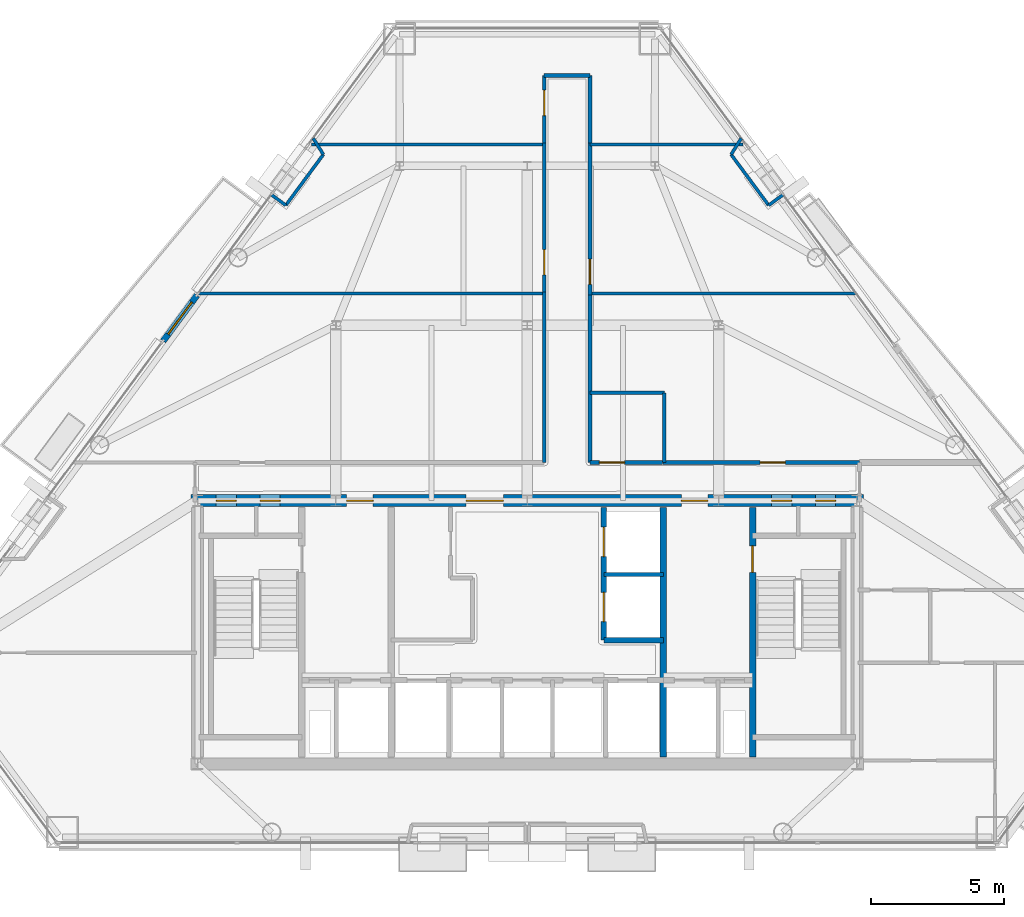
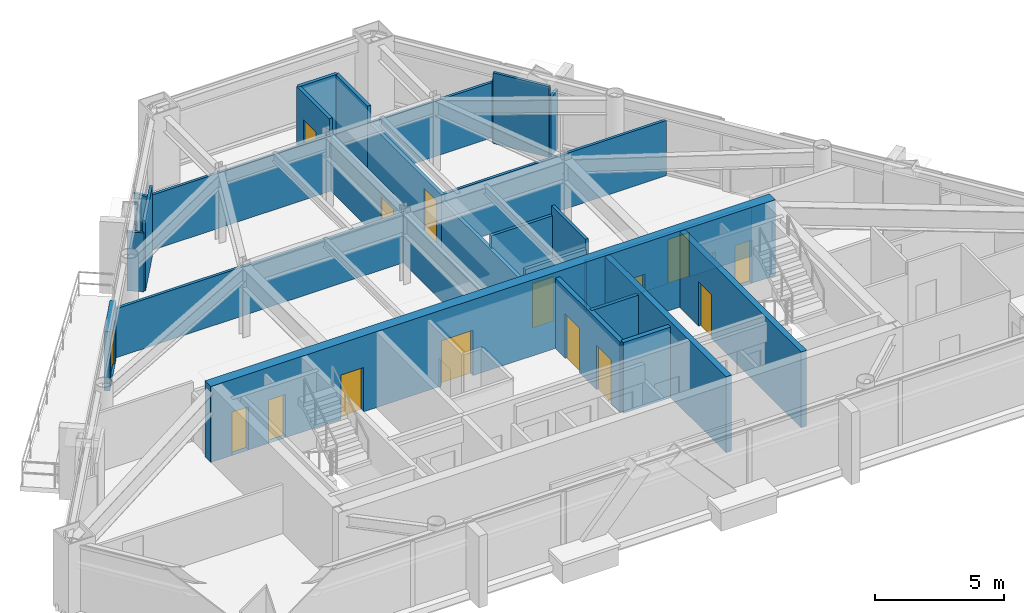
# One storey, part 8 of 11: 28 walls, 16 doors, 16 openings.
"""IFC4 building model written with IfcOpenShell, lengths in metres."""

from ifc_helpers import new_model, si_unit, direction, frame, frame_2d, origin, place, context, subcontext, project, spatial, rectangle, extrude, material, layer, layer_set, type_object, element, fill, save


model = new_model("IFC4")

# Units and contexts
model_context = context("Model", 3, precision=1e-05, world=origin(), true_north=direction((0.0, 1.0)))
body_context = subcontext(model_context, "Body", "Model", "MODEL_VIEW")
ifc_project = project(units=[si_unit("LENGTHUNIT", "METRE"), si_unit("AREAUNIT", "SQUARE_METRE"), si_unit("VOLUMEUNIT", "CUBIC_METRE"), si_unit("PLANEANGLEUNIT", "RADIAN"), si_unit("MASSUNIT", "GRAM", prefix="KILO")], contexts=[model_context])

# Site, building, storey
site_placement = place(None, origin())
site = spatial("IfcSite", under=ifc_project, at=site_placement, CompositionType="ELEMENT")
building_placement = place(site_placement, origin())
building = spatial("IfcBuilding", under=site, at=building_placement, Name="Talgorran Terracotta Tower", CompositionType="ELEMENT")
storey_placement = place(building_placement, frame((0.0, 0.0, 147.300048828125)))
storey = spatial("IfcBuildingStorey", under=building, at=storey_placement, Name="L38", CompositionType="ELEMENT", Elevation=147.300048828125)

# Wall, opening, door
ifc_material_1 = material(Name="Concrete C40/50", Category="concrete")
ifc_layer_1 = layer(ifc_material_1, 0.239990234375, Name="WT_BALCONY_SPAND")
ifc_layer_set_1 = layer_set([ifc_layer_1], Name="Concrete C40/50")
wall_type_1 = type_object("IfcWallType", Name="WT_BALCONY_SPAND", PredefinedType="STANDARD", material=ifc_layer_set_1)
wall_1_placement = place(storey_placement, frame((-12.429443359375, 3.529052734375, -0.01513671875), z_axis=(0.0, 0.0, 1.0), x_axis=(-0.594050978498, -0.804427395696, 0.0)))
wall_1 = element("IfcWall", 1, at=wall_1_placement, inside=storey, type_object=wall_type_1, Name="WL-L38-BALP-BAL-NW", PredefinedType="STANDARD", context=body_context, shape_type="SweptSolid", body=[
    extrude(rectangle(XDim=2.139892578125, YDim=0.239990234375, at=frame_2d((1.06982421875, 0.0))), origin(), (0.0, 0.0, 1.0), 2.80712890625),
])
opening_1_placement = place(wall_1_placement, frame((0.320068359375, 0.0, 0.014892578125)))
opening_1 = element("IfcOpeningElement", 2, at=opening_1_placement, cuts=wall_1, Name="Opening D-BAL-L38-2", PredefinedType="OPENING", context=body_context, shape_type="SweptSolid", body=[
    extrude(rectangle(XDim=1.506, YDim=2.203951171875, at=frame_2d((0.75, 1.10205078125))), frame((0.0, 0.1298828125, 0.0), z_axis=(0.0, -1.0, 0.0), x_axis=(1.0, 0.0, 0.0)), (0.0, 0.0, 1.0), 0.260009765625),
])
ifc_material_2 = material(Name="Thermally Broken Aluminium", Category="aluminium")
door_type_1 = type_object("IfcDoorType", Name="DT_BALC_1500", OperationType="SLIDING_TO_RIGHT", PredefinedType="DOOR", material=ifc_material_2)
door_1_placement = place(opening_1_placement, origin())
door_1 = element("IfcDoor", 3, at=door_1_placement, inside=storey, type_object=door_type_1, Name="DR-L38-BAL-BAL-NW", OperationType="SLIDING_TO_RIGHT", OverallHeight=2.199951171875, OverallWidth=1.5, PredefinedType="DOOR", context=body_context, shape_type="SweptSolid", body=[
    extrude(rectangle(XDim=1.5, YDim=2.199951171875, at=frame_2d((0.75, 1.10009765625))), frame((0.0, 0.02490234375, 0.0), z_axis=(0.0, -1.0, 0.0), x_axis=(1.0, 0.0, 0.0)), (0.0, 0.0, 1.0), 0.050048828125),
])
fill(opening_1, door_1)

# Wall, openings, doors
ifc_material_3 = material(Name="Concrete C50/60", Category="concrete")
ifc_layer_2 = layer(ifc_material_3, 0.199951171875, Name="WT_CORE_200")
ifc_layer_set_2 = layer_set([ifc_layer_2], Name="Concrete C50/60")
wall_type_2 = type_object("IfcWallType", Name="WT_CORE_200", PredefinedType="SOLIDWALL", material=ifc_layer_set_2)
wall_2_placement = place(storey_placement, frame((2.8798828125, -9.449951171875, 0.0), z_axis=(0.0, 0.0, 1.0), x_axis=(0.0, 1.0, 0.0)))
wall_2 = element("IfcWall", 4, at=wall_2_placement, inside=storey, type_object=wall_type_2, Name="WL-L38-CW-V-E3", PredefinedType="SOLIDWALL", context=body_context, shape_type="SweptSolid", body=[
    extrude(rectangle(XDim=5.0, YDim=0.199951171875, at=frame_2d((2.5, 0.0))), origin(), (0.0, 0.0, 1.0), 3.349853515625),
])
opening_2_placement = place(wall_2_placement, frame((0.699951171875, 0.0, 0.0)))
opening_2 = element("IfcOpeningElement", 5, at=opening_2_placement, cuts=wall_2, Name="Opening LD-PLM1", PredefinedType="OPENING", context=body_context, shape_type="SweptSolid", body=[
    extrude(rectangle(XDim=1.10609765625, YDim=2.10409765625, at=frame_2d((0.550048828125, 1.052001953125))), frame((0.0, 0.10986328125, 0.0), z_axis=(0.0, -1.0, 0.0), x_axis=(1.0, 0.0, 0.0)), (0.0, 0.0, 1.0), 0.219970703125),
])
opening_3_placement = place(wall_2_placement, frame((3.14990234375, 0.0, 0.0)))
opening_3 = element("IfcOpeningElement", 6, at=opening_3_placement, cuts=wall_2, Name="Opening LD-PLM2", PredefinedType="OPENING", context=body_context, shape_type="SweptSolid", body=[
    extrude(rectangle(XDim=1.10609765625, YDim=2.10409765625, at=frame_2d((0.550048828125, 1.052001953125))), frame((0.0, 0.10986328125, 0.0), z_axis=(0.0, -1.0, 0.0), x_axis=(1.0, 0.0, 0.0)), (0.0, 0.0, 1.0), 0.219970703125),
])
ifc_material_4 = material(Name="Brushed Stainless Steel Grade 304", Category="steel")
door_type_2 = type_object("IfcDoorType", Name="DT_LIFT_LD1100", OperationType="DOUBLE_DOOR_SLIDING", PredefinedType="DOOR", material=ifc_material_4)
door_2_placement = place(opening_2_placement, origin())
door_2 = element("IfcDoor", 7, at=door_2_placement, inside=storey, type_object=door_type_2, Name="L38 Lift Landing Door LD-PLM1", OperationType="DOUBLE_DOOR_SLIDING", OverallHeight=2.10009765625, OverallWidth=1.10009765625, PredefinedType="DOOR", context=body_context, shape_type="SweptSolid", body=[
    extrude(rectangle(XDim=1.10009765625, YDim=2.10009765625, at=frame_2d((0.550048828125, 1.050048828125))), frame((0.0, 0.02490234375, 0.0), z_axis=(0.0, -1.0, 0.0), x_axis=(1.0, 0.0, 0.0)), (0.0, 0.0, 1.0), 0.050048828125),
])
fill(opening_2, door_2)
door_3_placement = place(opening_3_placement, origin())
door_3 = element("IfcDoor", 8, at=door_3_placement, inside=storey, type_object=door_type_2, Name="L38 Lift Landing Door LD-PLM2", OperationType="DOUBLE_DOOR_SLIDING", OverallHeight=2.10009765625, OverallWidth=1.10009765625, PredefinedType="DOOR", context=body_context, shape_type="SweptSolid", body=[
    extrude(rectangle(XDim=1.10009765625, YDim=2.10009765625, at=frame_2d((0.550048828125, 1.050048828125))), frame((0.0, 0.02490234375, 0.0), z_axis=(0.0, -1.0, 0.0), x_axis=(1.0, 0.0, 0.0)), (0.0, 0.0, 1.0), 0.050048828125),
])
fill(opening_3, door_3)

# Wall
wall_3_placement = place(storey_placement, frame((2.8798828125, -9.449951171875, 0.0), z_axis=(0.0, 0.0, 1.0), x_axis=(1.0, 0.0, 0.0)))
element("IfcWall", 9, at=wall_3_placement, inside=storey, type_object=wall_type_2, Name="WL-L38-CW-H-E4", PredefinedType="SOLIDWALL", context=body_context, shape_type="SweptSolid", body=[
    extrude(rectangle(XDim=2.240234375, YDim=0.199951171875, at=frame_2d((1.1201171875, 0.0))), origin(), (0.0, 0.0, 1.0), 3.349853515625),
])

# Wall, opening, door
ifc_layer_3 = layer(ifc_material_3, 0.25, Name="WT_CORE_250")
ifc_layer_set_3 = layer_set([ifc_layer_3], Name="Concrete C50/60")
wall_type_3 = type_object("IfcWallType", Name="WT_CORE_250", PredefinedType="SHEAR", material=ifc_layer_set_3)
wall_4_placement = place(storey_placement, frame((8.47998046875, -13.85009765625, 0.0), z_axis=(0.0, 0.0, 1.0), x_axis=(0.0, 1.0, 0.0)))
wall_4 = element("IfcWall", 10, at=wall_4_placement, inside=storey, type_object=wall_type_3, Name="WL-L38-CW-V-E1", PredefinedType="SHEAR", context=body_context, shape_type="SweptSolid", body=[
    extrude(rectangle(XDim=9.400146484375, YDim=0.25, at=frame_2d((4.7001953125, 0.0))), origin(), (0.0, 0.0, 1.0), 3.599853515625),
])
opening_4_placement = place(wall_4_placement, frame((6.949951171875, 0.0, 0.0)))
opening_4 = element("IfcOpeningElement", 11, at=opening_4_placement, cuts=wall_4, Name="Opening DR-ST02", PredefinedType="OPENING", context=body_context, shape_type="SweptSolid", body=[
    extrude(rectangle(XDim=1.006, YDim=2.10409765625, at=frame_2d((0.5, 1.052001953125))), frame((0.0, 0.135009765625, 0.0), z_axis=(0.0, -1.0, 0.0), x_axis=(1.0, 0.0, 0.0)), (0.0, 0.0, 1.0), 0.27001953125),
])
ifc_material_5 = material(Name="Fire-Rated Pressed Steel", Category="steel")
door_type_3 = type_object("IfcDoorType", Name="DT_FIRE_1000", OperationType="NOTDEFINED", PredefinedType="DOOR", material=ifc_material_5)
door_4_placement = place(opening_4_placement, origin())
door_4 = element("IfcDoor", 12, at=door_4_placement, inside=storey, type_object=door_type_3, Name="DR-ST02", OperationType="SINGLE_SWING_RIGHT", OverallHeight=2.10009765625, OverallWidth=1.0, PredefinedType="DOOR", context=body_context, shape_type="SweptSolid", body=[
    extrude(rectangle(XDim=1.0, YDim=2.10009765625, at=frame_2d((0.5, 1.050048828125))), frame((0.0, 0.02490234375, 0.0), z_axis=(0.0, -1.0, 0.0), x_axis=(1.0, 0.0, 0.0)), (0.0, 0.0, 1.0), 0.050048828125),
])
fill(opening_4, door_4)

# Wall
wall_5_placement = place(storey_placement, frame((5.1201171875, -13.85009765625, 0.0), z_axis=(0.0, 0.0, 1.0), x_axis=(0.0, 1.0, 0.0)))
element("IfcWall", 13, at=wall_5_placement, inside=storey, type_object=wall_type_3, Name="WL-L38-CW-V-E2", PredefinedType="SHEAR", context=body_context, shape_type="SweptSolid", body=[
    extrude(rectangle(XDim=9.400146484375, YDim=0.25, at=frame_2d((4.7001953125, 0.0))), origin(), (0.0, 0.0, 1.0), 3.599853515625),
])

# Wall, openings, doors
ifc_material_6 = material(Name="Concrete C65/80", Category="concrete")
ifc_layer_4 = layer(ifc_material_6, 0.449951171875, Name="WT_CORE_EXT")
ifc_layer_set_4 = layer_set([ifc_layer_4], Name="Concrete C65/80")
wall_type_4 = type_object("IfcWallType", Name="WT_CORE_EXT", PredefinedType="SHEAR", material=ifc_layer_set_4)
wall_6_placement = place(storey_placement, frame((-12.64990234375, -4.199951171875, 0.0), z_axis=(0.0, 0.0, 1.0), x_axis=(1.0, 0.0, 0.0)))
wall_6 = element("IfcWall", 14, at=wall_6_placement, inside=storey, type_object=wall_type_4, Name="WL-L38-CW-OUT-N", PredefinedType="SHEAR", context=body_context, shape_type="SweptSolid", body=[
    extrude(rectangle(XDim=25.2998046875, YDim=0.449951171875, at=frame_2d((12.64990234375, 0.0))), origin(), (0.0, 0.0, 1.0), 3.599853515625),
])
opening_5_placement = place(wall_6_placement, frame((0.949951171875, 0.0, 0.0)))
opening_5 = element("IfcOpeningElement", 15, at=opening_5_placement, cuts=wall_6, Name="Opening DR-CSN1", PredefinedType="OPENING", context=body_context, shape_type="SweptSolid", body=[
    extrude(rectangle(XDim=0.756, YDim=2.054048828125, at=frame_2d((0.375, 1.027099609375))), frame((0.0, 0.23486328125, 0.0), z_axis=(0.0, -1.0, 0.0), x_axis=(1.0, 0.0, 0.0)), (0.0, 0.0, 1.0), 0.469970703125),
])
opening_6_placement = place(wall_6_placement, frame((2.60009765625, 0.0, 0.0)))
opening_6 = element("IfcOpeningElement", 16, at=opening_6_placement, cuts=wall_6, Name="Opening DR-CSN2", PredefinedType="OPENING", context=body_context, shape_type="SweptSolid", body=[
    extrude(rectangle(XDim=0.756, YDim=2.054048828125, at=frame_2d((0.375, 1.027099609375))), frame((0.0, 0.23486328125, 0.0), z_axis=(0.0, -1.0, 0.0), x_axis=(1.0, 0.0, 0.0)), (0.0, 0.0, 1.0), 0.469970703125),
])
opening_7_placement = place(wall_6_placement, frame((21.85009765625, 0.0, 0.0)))
opening_7 = element("IfcOpeningElement", 17, at=opening_7_placement, cuts=wall_6, Name="Opening DR-CSN3", PredefinedType="OPENING", context=body_context, shape_type="SweptSolid", body=[
    extrude(rectangle(XDim=0.756, YDim=2.054048828125, at=frame_2d((0.375, 1.027099609375))), frame((0.0, 0.23486328125, 0.0), z_axis=(0.0, -1.0, 0.0), x_axis=(1.0, 0.0, 0.0)), (0.0, 0.0, 1.0), 0.469970703125),
])
opening_8_placement = place(wall_6_placement, frame((23.5, 0.0, 0.0)))
opening_8 = element("IfcOpeningElement", 18, at=opening_8_placement, cuts=wall_6, Name="Opening DR-CSN4", PredefinedType="OPENING", context=body_context, shape_type="SweptSolid", body=[
    extrude(rectangle(XDim=0.756, YDim=2.054048828125, at=frame_2d((0.375, 1.027099609375))), frame((0.0, 0.23486328125, 0.0), z_axis=(0.0, -1.0, 0.0), x_axis=(1.0, 0.0, 0.0)), (0.0, 0.0, 1.0), 0.469970703125),
])
opening_9_placement = place(wall_6_placement, frame((5.85009765625, 0.0, 0.0)))
opening_9 = element("IfcOpeningElement", 19, at=opening_9_placement, cuts=wall_6, Name="Opening DR-FFLW-N", PredefinedType="OPENING", context=body_context, shape_type="SweptSolid", body=[
    extrude(rectangle(XDim=1.006, YDim=2.10409765625, at=frame_2d((0.5, 1.052001953125))), frame((0.0, 0.23486328125, 0.0), z_axis=(0.0, -1.0, 0.0), x_axis=(1.0, 0.0, 0.0)), (0.0, 0.0, 1.0), 0.469970703125),
])
opening_10_placement = place(wall_6_placement, frame((10.35009765625, 0.0, 0.0)))
opening_10 = element("IfcOpeningElement", 20, at=opening_10_placement, cuts=wall_6, Name="Opening DR-PLL-N", PredefinedType="OPENING", context=body_context, shape_type="SweptSolid", body=[
    extrude(rectangle(XDim=1.40590234375, YDim=2.15390234375, at=frame_2d((0.699951171875, 1.076904296875))), frame((0.0, 0.23486328125, 0.0), z_axis=(0.0, -1.0, 0.0), x_axis=(1.0, 0.0, 0.0)), (0.0, 0.0, 1.0), 0.469970703125),
])
opening_11_placement = place(wall_6_placement, frame((18.449951171875, 0.0, 0.0)))
opening_11 = element("IfcOpeningElement", 21, at=opening_11_placement, cuts=wall_6, Name="Opening DR-FFLE-N", PredefinedType="OPENING", context=body_context, shape_type="SweptSolid", body=[
    extrude(rectangle(XDim=1.006, YDim=2.10409765625, at=frame_2d((0.5, 1.052001953125))), frame((0.0, 0.23486328125, 0.0), z_axis=(0.0, -1.0, 0.0), x_axis=(1.0, 0.0, 0.0)), (0.0, 0.0, 1.0), 0.469970703125),
])
ifc_material_7 = material(Name="Acoustic Glazed Timber", Category="wood")
door_type_4 = type_object("IfcDoorType", Name="DT_DOUBLE_1400", OperationType="DOUBLE_DOOR_SINGLE_SWING", PredefinedType="DOOR", material=ifc_material_7)
door_5_placement = place(opening_10_placement, origin())
door_5 = element("IfcDoor", 22, at=door_5_placement, inside=storey, type_object=door_type_4, Name="DR-PLL-N", OperationType="DOUBLE_DOOR_SINGLE_SWING", OverallHeight=2.14990234375, OverallWidth=1.39990234375, PredefinedType="DOOR", context=body_context, shape_type="SweptSolid", body=[
    extrude(rectangle(XDim=1.39990234375, YDim=2.14990234375, at=frame_2d((0.699951171875, 1.074951171875))), frame((0.0, 0.02490234375, 0.0), z_axis=(0.0, -1.0, 0.0), x_axis=(1.0, 0.0, 0.0)), (0.0, 0.0, 1.0), 0.050048828125),
])
fill(opening_10, door_5)
door_6_placement = place(opening_9_placement, origin())
door_6 = element("IfcDoor", 23, at=door_6_placement, inside=storey, type_object=door_type_3, Name="DR-FFLW-N", OperationType="SINGLE_SWING_LEFT", OverallHeight=2.10009765625, OverallWidth=1.0, PredefinedType="DOOR", context=body_context, shape_type="SweptSolid", body=[
    extrude(rectangle(XDim=1.0, YDim=2.10009765625, at=frame_2d((0.5, 1.050048828125))), frame((0.0, 0.02490234375, 0.0), z_axis=(0.0, -1.0, 0.0), x_axis=(1.0, 0.0, 0.0)), (0.0, 0.0, 1.0), 0.050048828125),
])
fill(opening_9, door_6)
door_7_placement = place(opening_11_placement, origin())
door_7 = element("IfcDoor", 24, at=door_7_placement, inside=storey, type_object=door_type_3, Name="DR-FFLE-N", OperationType="SINGLE_SWING_RIGHT", OverallHeight=2.10009765625, OverallWidth=1.0, PredefinedType="DOOR", context=body_context, shape_type="SweptSolid", body=[
    extrude(rectangle(XDim=1.0, YDim=2.10009765625, at=frame_2d((0.5, 1.050048828125))), frame((0.0, 0.02490234375, 0.0), z_axis=(0.0, -1.0, 0.0), x_axis=(1.0, 0.0, 0.0)), (0.0, 0.0, 1.0), 0.050048828125),
])
fill(opening_11, door_7)
door_type_5 = type_object("IfcDoorType", Name="DT_RISER_750", OperationType="NOTDEFINED", PredefinedType="DOOR", material=ifc_material_5)
door_8_placement = place(opening_5_placement, origin())
door_8 = element("IfcDoor", 25, at=door_8_placement, inside=storey, type_object=door_type_5, Name="DR-CSN1", OperationType="SINGLE_SWING_LEFT", OverallHeight=2.050048828125, OverallWidth=0.75, PredefinedType="DOOR", context=body_context, shape_type="SweptSolid", body=[
    extrude(rectangle(XDim=0.75, YDim=2.050048828125, at=frame_2d((0.375, 1.02490234375))), frame((0.0, 0.02490234375, 0.0), z_axis=(0.0, -1.0, 0.0), x_axis=(1.0, 0.0, 0.0)), (0.0, 0.0, 1.0), 0.050048828125),
])
fill(opening_5, door_8)
door_9_placement = place(opening_6_placement, origin())
door_9 = element("IfcDoor", 26, at=door_9_placement, inside=storey, type_object=door_type_5, Name="DR-CSN2", OperationType="SINGLE_SWING_RIGHT", OverallHeight=2.050048828125, OverallWidth=0.75, PredefinedType="DOOR", context=body_context, shape_type="SweptSolid", body=[
    extrude(rectangle(XDim=0.75, YDim=2.050048828125, at=frame_2d((0.375, 1.02490234375))), frame((0.0, 0.02490234375, 0.0), z_axis=(0.0, -1.0, 0.0), x_axis=(1.0, 0.0, 0.0)), (0.0, 0.0, 1.0), 0.050048828125),
])
fill(opening_6, door_9)
door_10_placement = place(opening_7_placement, origin())
door_10 = element("IfcDoor", 27, at=door_10_placement, inside=storey, type_object=door_type_5, Name="DR-CSN3", OperationType="SINGLE_SWING_LEFT", OverallHeight=2.050048828125, OverallWidth=0.75, PredefinedType="DOOR", context=body_context, shape_type="SweptSolid", body=[
    extrude(rectangle(XDim=0.75, YDim=2.050048828125, at=frame_2d((0.375, 1.02490234375))), frame((0.0, 0.02490234375, 0.0), z_axis=(0.0, -1.0, 0.0), x_axis=(1.0, 0.0, 0.0)), (0.0, 0.0, 1.0), 0.050048828125),
])
fill(opening_7, door_10)
door_11_placement = place(opening_8_placement, origin())
door_11 = element("IfcDoor", 28, at=door_11_placement, inside=storey, type_object=door_type_5, Name="DR-CSN4", OperationType="SINGLE_SWING_RIGHT", OverallHeight=2.050048828125, OverallWidth=0.75, PredefinedType="DOOR", context=body_context, shape_type="SweptSolid", body=[
    extrude(rectangle(XDim=0.75, YDim=2.050048828125, at=frame_2d((0.375, 1.02490234375))), frame((0.0, 0.02490234375, 0.0), z_axis=(0.0, -1.0, 0.0), x_axis=(1.0, 0.0, 0.0)), (0.0, 0.0, 1.0), 0.050048828125),
])
fill(opening_8, door_11)

# Wall, opening, door
ifc_material_8 = material(Name="Fire-Rated Steel Stud Plasterboard", Category="steel")
ifc_layer_5 = layer(ifc_material_8, 0.14990234375, Name="WT_FIRE_150")
ifc_layer_set_5 = layer_set([ifc_layer_5], Name="Fire-Rated Steel Stud Plasterboard")
wall_type_5 = type_object("IfcWallType", Name="WT_FIRE_150", PredefinedType="PARTITIONING", material=ifc_layer_set_5)
wall_7_placement = place(storey_placement, frame((5.10009765625, -2.760009765625, 0.0), z_axis=(0.0, 0.0, 1.0), x_axis=(1.0, 0.0, 0.0)))
wall_7 = element("IfcWall", 29, at=wall_7_placement, inside=storey, type_object=wall_type_5, Name="WL-L38-W-L38-R06", PredefinedType="PARTITIONING", context=body_context, shape_type="SweptSolid", body=[
    extrude(rectangle(XDim=7.39990234375, YDim=0.14990234375, at=frame_2d((3.699951171875, 0.0))), origin(), (0.0, 0.0, 1.0), 2.324951171875),
])
opening_12_placement = place(wall_7_placement, frame((3.662841796875, 0.0, 0.0)))
opening_12 = element("IfcOpeningElement", 30, at=opening_12_placement, cuts=wall_7, Name="Opening DR-L38-R08", PredefinedType="OPENING", context=body_context, shape_type="SweptSolid", body=[
    extrude(rectangle(XDim=0.955951171875, YDim=2.10409765625, at=frame_2d((0.47509765625, 1.052001953125))), frame((0.0, 0.0849609375, 0.0), z_axis=(0.0, -1.0, 0.0), x_axis=(1.0, 0.0, 0.0)), (0.0, 0.0, 1.0), 0.169921875),
])
ifc_material_9 = material(Name="Fire-Rated Timber Core", Category="wood")
door_type_6 = type_object("IfcDoorType", Name="DT_FIRE_950", OperationType="NOTDEFINED", PredefinedType="DOOR", material=ifc_material_9)
door_12_placement = place(opening_12_placement, origin())
door_12 = element("IfcDoor", 31, at=door_12_placement, inside=storey, type_object=door_type_6, Name="DR-L38-R08", OperationType="SINGLE_SWING_RIGHT", OverallHeight=2.10009765625, OverallWidth=0.949951171875, PredefinedType="DOOR", context=body_context, shape_type="SweptSolid", body=[
    extrude(rectangle(XDim=0.949951171875, YDim=2.10009765625, at=frame_2d((0.47509765625, 1.050048828125))), frame((0.0, 0.02490234375, 0.0), z_axis=(0.0, -1.0, 0.0), x_axis=(1.0, 0.0, 0.0)), (0.0, 0.0, 1.0), 0.050048828125),
])
fill(opening_12, door_12)

# Wall
wall_8_placement = place(storey_placement, frame((0.639892578125, -2.760009765625, 0.0), z_axis=(0.0, 0.0, 1.0), x_axis=(0.0, 1.0, 0.0)))
element("IfcWall", 32, at=wall_8_placement, inside=storey, type_object=wall_type_5, Name="WL-L38-W-L38-R13", PredefinedType="PARTITIONING", context=body_context, shape_type="SweptSolid", body=[
    extrude(rectangle(XDim=6.419921875, YDim=0.14990234375, at=frame_2d((3.2099609375, 0.0))), origin(), (0.0, 0.0, 1.0), 2.324951171875),
])

# Wall, opening, door
wall_9_placement = place(storey_placement, frame((0.639892578125, 3.662109375, 0.0), z_axis=(0.0, 0.0, 1.0), x_axis=(0.0, 1.0, 0.0)))
wall_9 = element("IfcWall", 33, at=wall_9_placement, inside=storey, type_object=wall_type_5, Name="WL-L38-W-L38-R04", PredefinedType="PARTITIONING", context=body_context, shape_type="SweptSolid", body=[
    extrude(rectangle(XDim=5.597900390625, YDim=0.14990234375, at=frame_2d((2.798828125, 0.0))), origin(), (0.0, 0.0, 1.0), 2.616943359375),
])
opening_13_placement = place(wall_9_placement, frame((0.6337890625, 0.0, 0.0)))
opening_13 = element("IfcOpeningElement", 34, at=opening_13_placement, cuts=wall_9, Name="Opening DR-L38-R07", PredefinedType="OPENING", context=body_context, shape_type="SweptSolid", body=[
    extrude(rectangle(XDim=0.955951171875, YDim=2.10409765625, at=frame_2d((0.47509765625, 1.052001953125))), frame((0.0, 0.0849609375, 0.0), z_axis=(0.0, -1.0, 0.0), x_axis=(1.0, 0.0, 0.0)), (0.0, 0.0, 1.0), 0.169921875),
])
door_13_placement = place(opening_13_placement, origin())
door_13 = element("IfcDoor", 35, at=door_13_placement, inside=storey, type_object=door_type_6, Name="DR-L38-R07", OperationType="SINGLE_SWING_LEFT", OverallHeight=2.10009765625, OverallWidth=0.949951171875, PredefinedType="DOOR", context=body_context, shape_type="SweptSolid", body=[
    extrude(rectangle(XDim=0.949951171875, YDim=2.10009765625, at=frame_2d((0.47509765625, 1.050048828125))), frame((0.0, 0.02490234375, 0.0), z_axis=(0.0, -1.0, 0.0), x_axis=(1.0, 0.0, 0.0)), (0.0, 0.0, 1.0), 0.050048828125),
])
fill(opening_13, door_13)

wall_10_placement = place(storey_placement, frame((2.360107421875, 3.5400390625, 0.0), z_axis=(0.0, 0.0, 1.0), x_axis=(0.0, 1.0, 0.0)))
wall_10 = element("IfcWall", 36, at=wall_10_placement, inside=storey, type_object=wall_type_5, Name="WL-L38-W-L38-R07", PredefinedType="PARTITIONING", context=body_context, shape_type="SweptSolid", body=[
    extrude(rectangle(XDim=5.719970703125, YDim=0.14990234375, at=frame_2d((2.85986328125, 0.0))), origin(), (0.0, 0.0, 1.0), 2.616943359375),
])
opening_14_placement = place(wall_10_placement, frame((0.398193359375, 0.0, 0.0)))
opening_14 = element("IfcOpeningElement", 37, at=opening_14_placement, cuts=wall_10, Name="Opening DR-L38-R09", PredefinedType="OPENING", context=body_context, shape_type="SweptSolid", body=[
    extrude(rectangle(XDim=0.955951171875, YDim=2.10409765625, at=frame_2d((0.47509765625, 1.052001953125))), frame((0.0, 0.0849609375, 0.0), z_axis=(0.0, -1.0, 0.0), x_axis=(1.0, 0.0, 0.0)), (0.0, 0.0, 1.0), 0.169921875),
])
door_14_placement = place(opening_14_placement, origin())
door_14 = element("IfcDoor", 38, at=door_14_placement, inside=storey, type_object=door_type_6, Name="DR-L38-R09", OperationType="SINGLE_SWING_LEFT", OverallHeight=2.10009765625, OverallWidth=0.949951171875, PredefinedType="DOOR", context=body_context, shape_type="SweptSolid", body=[
    extrude(rectangle(XDim=0.949951171875, YDim=2.10009765625, at=frame_2d((0.47509765625, 1.050048828125))), frame((0.0, 0.02490234375, 0.0), z_axis=(0.0, -1.0, 0.0), x_axis=(1.0, 0.0, 0.0)), (0.0, 0.0, 1.0), 0.050048828125),
])
fill(opening_14, door_14)

# Wall
wall_11_placement = place(storey_placement, frame((2.360107421875, -2.760009765625, 0.0), z_axis=(0.0, 0.0, 1.0), x_axis=(0.0, 1.0, 0.0)))
element("IfcWall", 39, at=wall_11_placement, inside=storey, type_object=wall_type_5, Name="WL-L38-W-L38-R05", PredefinedType="PARTITIONING", context=body_context, shape_type="SweptSolid", body=[
    extrude(rectangle(XDim=6.298095703125, YDim=0.14990234375, at=frame_2d((3.14892578125, 0.0))), origin(), (0.0, 0.0, 1.0), 2.324951171875),
])

# Wall, opening, door
wall_12_placement = place(storey_placement, frame((2.360107421875, -2.760009765625, 0.0), z_axis=(0.0, 0.0, 1.0), x_axis=(1.0, 0.0, 0.0)))
wall_12 = element("IfcWall", 40, at=wall_12_placement, inside=storey, type_object=wall_type_5, Name="WL-L38-W-L38-R02", PredefinedType="PARTITIONING", context=body_context, shape_type="SweptSolid", body=[
    extrude(rectangle(XDim=2.73779296875, YDim=0.14990234375, at=frame_2d((1.368896484375, 0.0))), origin(), (0.0, 0.0, 1.0), 2.91845703125),
])
opening_15_placement = place(wall_12_placement, frame((0.355712890625, 0.0, 0.0)))
opening_15 = element("IfcOpeningElement", 41, at=opening_15_placement, cuts=wall_12, Name="Opening DR-L38-R01", PredefinedType="OPENING", context=body_context, shape_type="SweptSolid", body=[
    extrude(rectangle(XDim=0.955951171875, YDim=2.10409765625, at=frame_2d((0.47509765625, 1.052001953125))), frame((0.0, 0.0849609375, 0.0), z_axis=(0.0, -1.0, 0.0), x_axis=(1.0, 0.0, 0.0)), (0.0, 0.0, 1.0), 0.169921875),
])
door_15_placement = place(opening_15_placement, origin())
door_15 = element("IfcDoor", 42, at=door_15_placement, inside=storey, type_object=door_type_6, Name="DR-L38-R01", OperationType="SINGLE_SWING_LEFT", OverallHeight=2.10009765625, OverallWidth=0.949951171875, PredefinedType="DOOR", context=body_context, shape_type="SweptSolid", body=[
    extrude(rectangle(XDim=0.949951171875, YDim=2.10009765625, at=frame_2d((0.47509765625, 1.050048828125))), frame((0.0, 0.02490234375, 0.0), z_axis=(0.0, -1.0, 0.0), x_axis=(1.0, 0.0, 0.0)), (0.0, 0.0, 1.0), 0.050048828125),
])
fill(opening_15, door_15)

wall_13_placement = place(storey_placement, frame((0.639892578125, 9.261962890625, 0.0), z_axis=(0.0, 0.0, 1.0), x_axis=(0.0, 1.0, 0.0)))
wall_13 = element("IfcWall", 43, at=wall_13_placement, inside=storey, type_object=wall_type_5, Name="WL-L38-W-L38-R08", PredefinedType="PARTITIONING", context=body_context, shape_type="SweptSolid", body=[
    extrude(rectangle(XDim=2.5380859375, YDim=0.14990234375, at=frame_2d((1.26904296875, 0.0))), origin(), (0.0, 0.0, 1.0), 3.349853515625),
])
opening_16_placement = place(wall_13_placement, frame((1.031005859375, 0.0, 0.0)))
opening_16 = element("IfcOpeningElement", 44, at=opening_16_placement, cuts=wall_13, Name="Opening DR-L38-R10", PredefinedType="OPENING", context=body_context, shape_type="SweptSolid", body=[
    extrude(rectangle(XDim=0.955951171875, YDim=2.10409765625, at=frame_2d((0.47509765625, 1.052001953125))), frame((0.0, 0.0849609375, 0.0), z_axis=(0.0, -1.0, 0.0), x_axis=(1.0, 0.0, 0.0)), (0.0, 0.0, 1.0), 0.169921875),
])
door_16_placement = place(opening_16_placement, origin())
door_16 = element("IfcDoor", 45, at=door_16_placement, inside=storey, type_object=door_type_6, Name="DR-L38-R10", OperationType="SINGLE_SWING_RIGHT", OverallHeight=2.10009765625, OverallWidth=0.949951171875, PredefinedType="DOOR", context=body_context, shape_type="SweptSolid", body=[
    extrude(rectangle(XDim=0.949951171875, YDim=2.10009765625, at=frame_2d((0.47509765625, 1.050048828125))), frame((0.0, 0.02490234375, 0.0), z_axis=(0.0, -1.0, 0.0), x_axis=(1.0, 0.0, 0.0)), (0.0, 0.0, 1.0), 0.050048828125),
])
fill(opening_16, door_16)

# Walls
wall_14_placement = place(storey_placement, frame((2.360107421875, 9.261962890625, 0.0), z_axis=(0.0, 0.0, 1.0), x_axis=(0.0, 1.0, 0.0)))
element("IfcWall", 46, at=wall_14_placement, inside=storey, type_object=wall_type_5, Name="WL-L38-W-L38-R10", PredefinedType="PARTITIONING", context=body_context, shape_type="SweptSolid", body=[
    extrude(rectangle(XDim=2.5380859375, YDim=0.14990234375, at=frame_2d((1.26904296875, 0.0))), origin(), (0.0, 0.0, 1.0), 3.349853515625),
])
wall_15_placement = place(storey_placement, frame((0.639892578125, 11.800048828125, 0.0), z_axis=(0.0, 0.0, 1.0), x_axis=(1.0, 0.0, 0.0)))
element("IfcWall", 47, at=wall_15_placement, inside=storey, type_object=wall_type_5, Name="WL-L38-W-L38-R09", PredefinedType="PARTITIONING", context=body_context, shape_type="SweptSolid", body=[
    extrude(rectangle(XDim=1.72021484375, YDim=0.14990234375, at=frame_2d((0.860107421875, 0.0))), origin(), (0.0, 0.0, 1.0), 3.349853515625),
])
ifc_material_10 = material(Name="Insulated Steel Stud Plasterboard", Category="steel")
ifc_layer_6 = layer(ifc_material_10, 0.1201171875, Name="WT_PART_120")
ifc_layer_set_6 = layer_set([ifc_layer_6], Name="Insulated Steel Stud Plasterboard")
wall_type_6 = type_object("IfcWallType", Name="WT_PART_120", PredefinedType="PARTITIONING", material=ifc_layer_set_6)
wall_16_placement = place(storey_placement, frame((-12.376953125, 3.60009765625, 0.0), z_axis=(0.0, 0.0, 1.0), x_axis=(1.0, 0.0, 0.0)))
element("IfcWall", 48, at=wall_16_placement, inside=storey, type_object=wall_type_6, Name="WL-L38-W-L38-R27", PredefinedType="PARTITIONING", context=body_context, shape_type="SweptSolid", body=[
    extrude(rectangle(XDim=13.016845703125, YDim=0.1201171875, at=frame_2d((6.50830078125, 0.0))), origin(), (0.0, 0.0, 1.0), 2.324951171875),
])
wall_17_placement = place(storey_placement, frame((2.360107421875, 3.60009765625, 0.0), z_axis=(0.0, 0.0, 1.0), x_axis=(1.0, 0.0, 0.0)))
element("IfcWall", 49, at=wall_17_placement, inside=storey, type_object=wall_type_6, Name="WL-L38-W-L38-R28", PredefinedType="PARTITIONING", context=body_context, shape_type="SweptSolid", body=[
    extrude(rectangle(XDim=10.016845703125, YDim=0.1201171875, at=frame_2d((5.00830078125, 0.0))), origin(), (0.0, 0.0, 1.0), 2.616943359375),
])
wall_18_placement = place(storey_placement, frame((-8.1201171875, 9.199951171875, 0.0), z_axis=(0.0, 0.0, 1.0), x_axis=(1.0, 0.0, 0.0)))
element("IfcWall", 50, at=wall_18_placement, inside=storey, type_object=wall_type_6, Name="WL-L38-W-L38-R26", PredefinedType="PARTITIONING", context=body_context, shape_type="SweptSolid", body=[
    extrude(rectangle(XDim=8.760009765625, YDim=0.1201171875, at=frame_2d((4.3798828125, 0.0))), origin(), (0.0, 0.0, 1.0), 2.616943359375),
])
wall_19_placement = place(storey_placement, frame((2.360107421875, 9.199951171875, 0.0), z_axis=(0.0, 0.0, 1.0), x_axis=(1.0, 0.0, 0.0)))
element("IfcWall", 51, at=wall_19_placement, inside=storey, type_object=wall_type_6, Name="WL-L38-W-L38-R29", PredefinedType="PARTITIONING", context=body_context, shape_type="SweptSolid", body=[
    extrude(rectangle(XDim=5.760009765625, YDim=0.1201171875, at=frame_2d((2.8798828125, 0.0))), origin(), (0.0, 0.0, 1.0), 2.616943359375),
])
for number, where, z_axis, x_axis, name in (
    (52, (-7.67138671875, 8.8271484375, 0.0), (0.0, 0.0, 1.0), (-0.594053249338, -0.804425718728, 0.0), "WL-L38-BW-L38-15"),
    (53, (9.083984375, 6.914306640625, 0.0), (0.0, 0.0, 1.0), (-0.594053249338, 0.804425718728, 0.0), "WL-L38-BW-L38-18"),
):
    element("IfcWall", number, at=place(storey_placement, frame(where, z_axis=z_axis, x_axis=x_axis)), inside=storey, type_object=wall_type_6, Name=name, PredefinedType="PARTITIONING", context=body_context, shape_type="SweptSolid", body=[
        extrude(rectangle(XDim=2.3779296875, YDim=0.1201171875, at=frame_2d((1.18896484375, 0.0))), origin(), (0.0, 0.0, 1.0), 3.349853515625),
    ])
for number, where, z_axis, x_axis, name in (
    (54, (-8.053955078125, 9.436767578125, 0.0), (0.0, 0.0, 1.0), (0.531553111266, -0.847024964156, 0.0), "WL-L38-BW-L38-14"),
    (55, (7.67138671875, 8.8271484375, 0.0), (0.0, 0.0, 1.0), (0.531553111266, 0.847024964156, 0.0), "WL-L38-BW-L38-19"),
):
    element("IfcWall", number, at=place(storey_placement, frame(where, z_axis=z_axis, x_axis=x_axis)), inside=storey, type_object=wall_type_6, Name=name, PredefinedType="PARTITIONING", context=body_context, shape_type="SweptSolid", body=[
        extrude(rectangle(XDim=0.7197265625, YDim=0.1201171875, at=frame_2d((0.35986328125, 0.0))), origin(), (0.0, 0.0, 1.0), 2.7919921875),
    ])
for number, where, z_axis, x_axis, name in (
    (56, (-9.083984375, 6.914306640625, 0.0), (0.0, 0.0, 1.0), (-0.804395751644, 0.594093826543, 0.0), "WL-L38-BW-L38-16"),
    (57, (9.622802734375, 7.312255859375, 0.0), (0.0, 0.0, 1.0), (-0.804395751644, -0.594093826543, 0.0), "WL-L38-BW-L38-17"),
):
    element("IfcWall", number, at=place(storey_placement, frame(where, z_axis=z_axis, x_axis=x_axis)), inside=storey, type_object=wall_type_6, Name=name, PredefinedType="PARTITIONING", context=body_context, shape_type="SweptSolid", body=[
        extrude(rectangle(XDim=0.669921875, YDim=0.1201171875, at=frame_2d((0.3349609375, 0.0))), origin(), (0.0, 0.0, 1.0), 2.7919921875),
    ])
ifc_material_11 = material(Name="Moisture-Resistant Stud Wall")
ifc_layer_7 = layer(ifc_material_11, 0.135009765625, Name="WT_PART_135")
ifc_layer_set_7 = layer_set([ifc_layer_7], Name="Moisture-Resistant Stud Wall")
wall_type_7 = type_object("IfcWallType", Name="WT_PART_135", PredefinedType="PARTITIONING", material=ifc_layer_set_7)
wall_20_placement = place(storey_placement, frame((2.360107421875, -0.139892578125, 0.0), z_axis=(0.0, 0.0, 1.0), x_axis=(1.0, 0.0, 0.0)))
element("IfcWall", 58, at=wall_20_placement, inside=storey, type_object=wall_type_7, Name="WL-L38-W-L38-R14", PredefinedType="PARTITIONING", context=body_context, shape_type="SweptSolid", body=[
    extrude(rectangle(XDim=2.7998046875, YDim=0.135009765625, at=frame_2d((1.39990234375, 0.0))), origin(), (0.0, 0.0, 1.0), 2.91845703125),
])
wall_21_placement = place(storey_placement, frame((5.159912109375, -2.760009765625, 0.0), z_axis=(0.0, 0.0, 1.0), x_axis=(0.0, 1.0, 0.0)))
element("IfcWall", 59, at=wall_21_placement, inside=storey, type_object=wall_type_7, Name="WL-L38-W-L38-R15", PredefinedType="PARTITIONING", context=body_context, shape_type="SweptSolid", body=[
    extrude(rectangle(XDim=2.6201171875, YDim=0.135009765625, at=frame_2d((1.31005859375, 0.0))), origin(), (0.0, 0.0, 1.0), 3.349853515625),
])
ifc_material_12 = material(Name="Fire-Rated Shaftwall")
ifc_layer_8 = layer(ifc_material_12, 0.159912109375, Name="WT_PART_150")
ifc_layer_set_8 = layer_set([ifc_layer_8], Name="Fire-Rated Shaftwall")
wall_type_8 = type_object("IfcWallType", Name="WT_PART_150", PredefinedType="PARTITIONING", material=ifc_layer_set_8)
wall_22_placement = place(storey_placement, frame((2.8798828125, -6.97998046875, 0.0), z_axis=(0.0, 0.0, 1.0), x_axis=(1.0, 0.0, 0.0)))
element("IfcWall", 60, at=wall_22_placement, inside=storey, type_object=wall_type_8, Name="WL-L38-CW-PLM-DIV", PredefinedType="PARTITIONING", context=body_context, shape_type="SweptSolid", body=[
    extrude(rectangle(XDim=2.240234375, YDim=0.159912109375, at=frame_2d((1.1201171875, 0.0))), origin(), (0.0, 0.0, 1.0), 3.349853515625),
])

save(model, "model.ifc")
